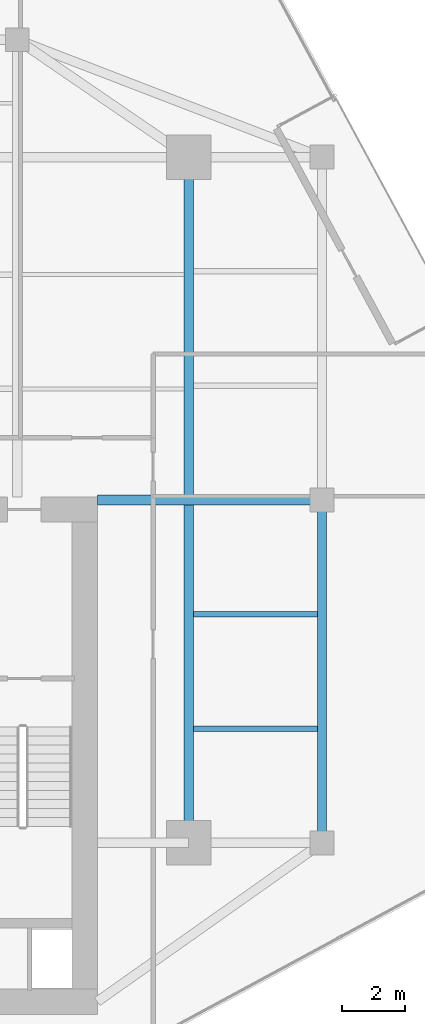
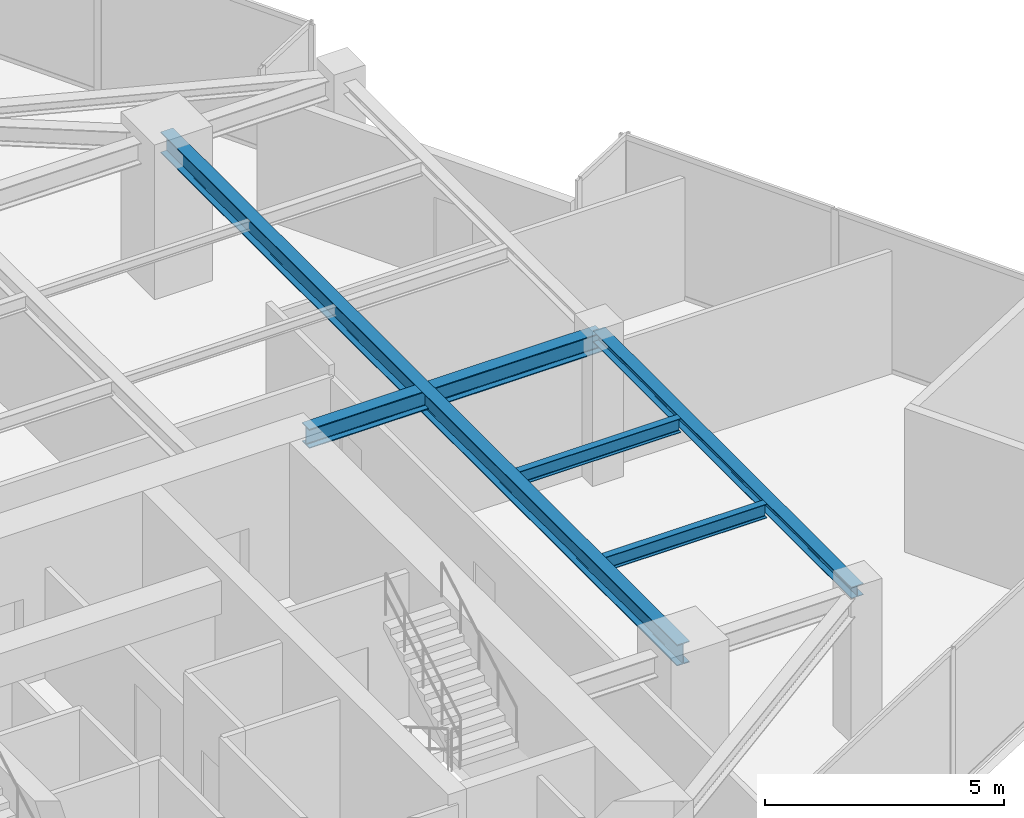
# One storey, part 9 of 22: 5 beams.
"""IFC4 building model written with IfcOpenShell, lengths in metres."""

from ifc_helpers import new_model, si_unit, direction, frame, origin, origin_2d, place, context, subcontext, project, spatial, i_section, extrude, source, transform, mapped, material, material_profile, profile_set, type_object, type_shapes, element, save


model = new_model("IFC4")

# Units and contexts
model_context = context("Model", 3, precision=1e-05, world=origin(), true_north=direction((0.0, 1.0)))
body_context = subcontext(model_context, "Body", "Model", "MODEL_VIEW")
ifc_project = project(units=[si_unit("LENGTHUNIT", "METRE"), si_unit("AREAUNIT", "SQUARE_METRE"), si_unit("VOLUMEUNIT", "CUBIC_METRE"), si_unit("PLANEANGLEUNIT", "RADIAN"), si_unit("MASSUNIT", "GRAM", prefix="KILO")], contexts=[model_context])

# Site, building, storey
site_placement = place(None, origin())
site = spatial("IfcSite", under=ifc_project, at=site_placement, CompositionType="ELEMENT")
building_placement = place(site_placement, origin())
building = spatial("IfcBuilding", under=site, at=building_placement, Name="Krantzveldt Concourse Tower", CompositionType="ELEMENT")
storey_placement = place(building_placement, frame((0.0, 0.0, 302.949951171875)))
storey = spatial("IfcBuildingStorey", under=building, at=storey_placement, Name="L74", CompositionType="ELEMENT", Elevation=302.949951171875)

# Beams
ifc_material = material(Name="Steel S355JR", Category="steel")
ifc_material_profile_1 = material_profile(ifc_material, i_section(OverallWidth=0.300048828125, OverallDepth=0.489990234375, WebThickness=0.011962890625, FlangeThickness=0.02294921875, FilletRadius=0.027099609375, at=origin_2d()), Name="Steel S355JR", Category="steel")
ifc_profile_set_1 = profile_set([ifc_material_profile_1], Name="Steel S355JR - HEA 500")
beam_type_1 = type_object("IfcBeamType", Name="BM-B-HEA500", PredefinedType="BEAM", material=ifc_profile_set_1)
shared_shape_1 = source(origin(), body_context, "Body", "SweptSolid", [
    extrude(i_section(OverallWidth=0.300048828125, OverallDepth=0.489990234375, WebThickness=0.011962890625, FlangeThickness=0.02294921875, FilletRadius=0.027099609375, at=origin_2d()), origin(), (0.0, 0.0, 1.0), 7.080078125),
])
type_shapes(beam_type_1, [shared_shape_1])
beam_1_placement = place(storey_placement, frame((43.919921875, 26.699951171875, 3.425048828125), z_axis=(1.0, 0.0, 0.0), x_axis=(0.0, 1.0, 0.0)))
element("IfcBeam", 1, at=beam_1_placement, inside=storey, type_object=beam_type_1, Name="L74 Tower Girder BG-CE2", PredefinedType="BEAM", context=body_context, shape_type="MappedRepresentation", body=[
    mapped(shared_shape_1, transform((0.0, 0.0, 0.0), x_axis=(1.0, 0.0, 0.0), y_axis=(0.0, 1.0, 0.0), z_axis=(0.0, 0.0, 1.0), scale=1.0)),
])
ifc_material_profile_2 = material_profile(ifc_material, i_section(OverallWidth=0.300048828125, OverallDepth=0.5400390625, WebThickness=0.012451171875, FlangeThickness=0.02392578125, FilletRadius=0.027099609375, at=origin_2d()), Name="Steel S355JR", Category="steel")
ifc_profile_set_2 = profile_set([ifc_material_profile_2], Name="Steel S355JR - HEA 550")
beam_type_2 = type_object("IfcBeamType", Name="BM-B-HEA550", PredefinedType="BEAM", material=ifc_profile_set_2)
shared_shape_2 = source(origin(), body_context, "Body", "SweptSolid", [
    extrude(i_section(OverallWidth=0.300048828125, OverallDepth=0.5400390625, WebThickness=0.012451171875, FlangeThickness=0.02392578125, FilletRadius=0.027099609375, at=origin_2d()), origin(), (0.0, 0.0, 1.0), 21.60009765625),
])
type_shapes(beam_type_2, [shared_shape_2])
beam_2_placement = place(storey_placement, frame((46.800048828125, 15.89990234375, 3.400146484375), z_axis=(0.0, 1.0, 0.0), x_axis=(-1.0, 0.0, 0.0)))
element("IfcBeam", 2, at=beam_2_placement, inside=storey, type_object=beam_type_2, Name="L74 Tower Girder BG-ME", PredefinedType="BEAM", context=body_context, shape_type="MappedRepresentation", body=[
    mapped(shared_shape_2, transform((0.0, 0.0, 0.0), x_axis=(1.0, 0.0, 0.0), y_axis=(0.0, 1.0, 0.0), z_axis=(0.0, 0.0, 1.0), scale=1.0)),
])
ifc_material_profile_3 = material_profile(ifc_material, i_section(OverallWidth=0.2900390625, OverallDepth=0.2900390625, WebThickness=0.008544921875, FlangeThickness=0.013916015625, FilletRadius=0.027099609375, at=origin_2d()), Name="Steel S355JR", Category="steel")
ifc_profile_set_3 = profile_set([ifc_material_profile_3], Name="Steel S355JR - HEA 300")
beam_type_3 = type_object("IfcBeamType", Name="BM-SP-HEA300", PredefinedType="SPANDREL", material=ifc_profile_set_3)
shared_shape_3 = source(origin(), body_context, "Body", "SweptSolid", [
    extrude(i_section(OverallWidth=0.2900390625, OverallDepth=0.2900390625, WebThickness=0.008544921875, FlangeThickness=0.013916015625, FilletRadius=0.027099609375, at=origin_2d()), origin(), (0.0, 0.0, 1.0), 10.800048828125),
])
type_shapes(beam_type_3, [shared_shape_3])
beam_3_placement = place(storey_placement, frame((51.0, 26.699951171875, 3.525146484375), z_axis=(0.0, -1.0, 0.0), x_axis=(1.0, 0.0, 0.0)))
element("IfcBeam", 3, at=beam_3_placement, inside=storey, type_object=beam_type_3, Name="L74 Tower Girder SP-R07", PredefinedType="SPANDREL", context=body_context, shape_type="MappedRepresentation", body=[
    mapped(shared_shape_3, transform((0.0, 0.0, 0.0), x_axis=(1.0, 0.0, 0.0), y_axis=(0.0, 1.0, 0.0), z_axis=(0.0, 0.0, 1.0), scale=1.0)),
])
ifc_material_profile_4 = material_profile(ifc_material, i_section(OverallWidth=0.169921875, OverallDepth=0.360107421875, WebThickness=0.008056640625, FlangeThickness=0.0126953125, FilletRadius=0.01806640625, at=origin_2d()), Name="Steel S355JR", Category="steel")
ifc_profile_set_4 = profile_set([ifc_material_profile_4], Name="Steel S355JR - IPE 360")
beam_type_4 = type_object("IfcBeamType", Name="BM-J-IPE360", PredefinedType="JOIST", material=ifc_profile_set_4)
shared_shape_4 = source(origin(), body_context, "Body", "SweptSolid", [
    extrude(i_section(OverallWidth=0.169921875, OverallDepth=0.360107421875, WebThickness=0.008056640625, FlangeThickness=0.0126953125, FilletRadius=0.01806640625, at=origin_2d()), origin(), (0.0, 0.0, 1.0), 3.900146484375),
])
type_shapes(beam_type_4, [shared_shape_4])
for number, where, z_axis, x_axis, name in (
    (4, (46.949951171875, 19.5, 3.489990234375), (1.0, 0.0, 0.0), (0.0, 1.0, 0.0), "L74 Secondary Floor Joist JE-1"),
    (5, (46.949951171875, 23.10009765625, 3.489990234375), (1.0, 0.0, 0.0), (0.0, 1.0, 0.0), "L74 Secondary Floor Joist JE-2"),
):
    element("IfcBeam", number, at=place(storey_placement, frame(where, z_axis=z_axis, x_axis=x_axis)), inside=storey, type_object=beam_type_4, Name=name, PredefinedType="JOIST", context=body_context, shape_type="MappedRepresentation", body=[
        mapped(shared_shape_4, transform((0.0, 0.0, 0.0), x_axis=(1.0, 0.0, 0.0), y_axis=(0.0, 1.0, 0.0), z_axis=(0.0, 0.0, 1.0), scale=1.0)),
    ])

save(model, "model.ifc")
